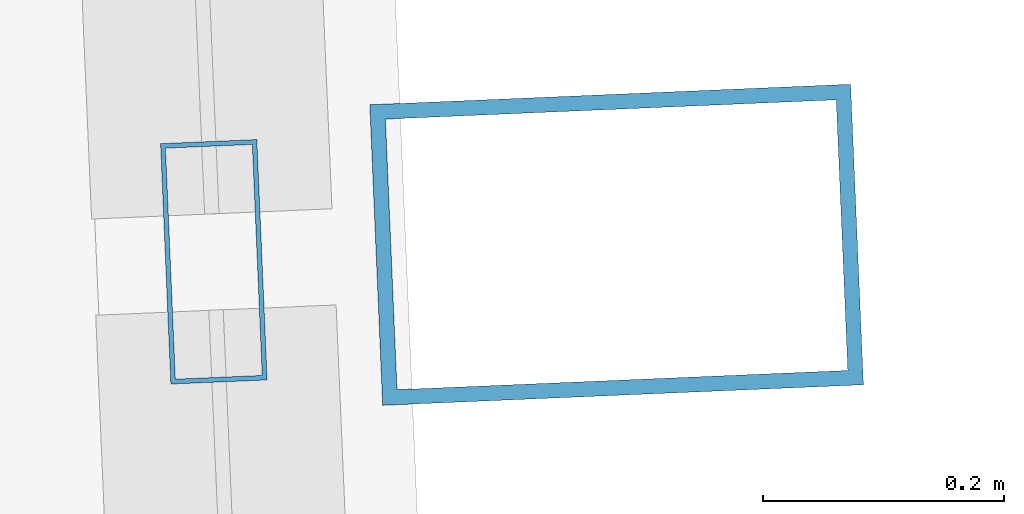
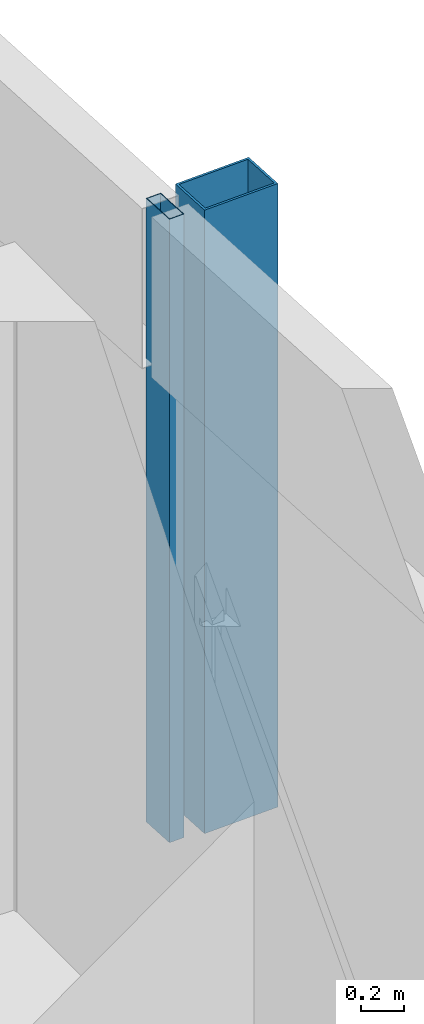
# One storey, part 27 of 42: 2 members, 1 element without a shape of its own.
"""IFC4 building model written with IfcOpenShell, lengths in metres."""

from ifc_helpers import new_model, si_unit, direction, frame, origin, origin_2d, place, context, subcontext, project, spatial, hollow_rectangle, extrude, material, material_profile, profile_set, type_object, element, aggregate, save


model = new_model("IFC4")

# Units and contexts
model_context = context("Model", 3, precision=1e-05, world=origin(), true_north=direction((0.0, 1.0)))
body_context = subcontext(model_context, "Body", "Model", "MODEL_VIEW")
ifc_project = project(units=[si_unit("LENGTHUNIT", "METRE"), si_unit("AREAUNIT", "SQUARE_METRE"), si_unit("VOLUMEUNIT", "CUBIC_METRE"), si_unit("PLANEANGLEUNIT", "RADIAN"), si_unit("MASSUNIT", "GRAM", prefix="KILO")], contexts=[model_context])

# Site, building, storey
site_placement = place(None, origin())
site = spatial("IfcSite", under=ifc_project, at=site_placement, CompositionType="ELEMENT")
building_placement = place(site_placement, origin())
building = spatial("IfcBuilding", under=site, at=building_placement, Name="Rekha Terrace Tower", CompositionType="ELEMENT")
storey_placement = place(building_placement, frame((0.0, 0.0, 55.39990234375)))
storey = spatial("IfcBuildingStorey", under=building, at=storey_placement, Name="L13", CompositionType="ELEMENT", Elevation=55.39990234375)

# Curtain wall, members
ifc_material_1 = material(Name="Aluminium framing", Category="aluminium")
curtain_wall_type = type_object("IfcCurtainWallType", Name="CW2 double skin outer glazing", PredefinedType="USERDEFINED", material=ifc_material_1)
curtain_wall_placement = place(storey_placement, origin())
curtain_wall = element("IfcCurtainWall", 1, at=curtain_wall_placement, inside=storey, type_object=curtain_wall_type, Name="CW2 double skin outer glazing", ObjectType="DOUBLE SKIN OUTER GLAZING", PredefinedType="USERDEFINED")
ifc_material_2 = material(Name="Steel S355 with fluorocarbon finish", Category="steel")
ifc_material_profile_1 = material_profile(ifc_material_2, hollow_rectangle(XDim=0.25, YDim=0.39990234375, WallThickness=0.012451171875, at=origin_2d()), Name="RHS400x250x12.5")
ifc_profile_set_1 = profile_set([ifc_material_profile_1], Name="Steel S355 with fluorocarbon finish")
member_type_1 = type_object("IfcMemberType", Name="BL1 facade blade RHS 400 x 250", PredefinedType="USERDEFINED", material=ifc_profile_set_1)
member_1_placement = place(storey_placement, frame((69.554443359375, 51.724609375, 0.0), z_axis=(0.0, 0.0, 1.0), x_axis=(-0.04269522475, 0.99908814315, 0.0)))
member_1 = element("IfcMember", 2, at=member_1_placement, type_object=member_type_1, Name="Facade blade", ObjectType="FACADE BLADE", PredefinedType="USERDEFINED", context=body_context, shape_type="SweptSolid", body=[
    extrude(hollow_rectangle(XDim=0.25, YDim=0.39990234375, WallThickness=0.012451171875, at=origin_2d()), origin(), (0.0, 0.0, 1.0), 3.5),
])
ifc_material_3 = material(Name="Aluminium mullion section", Category="aluminium")
ifc_material_profile_2 = material_profile(ifc_material_3, hollow_rectangle(XDim=0.080078125, YDim=0.199951171875, WallThickness=0.00390625, at=origin_2d()), Name="AL RHS 80x200")
ifc_profile_set_2 = profile_set([ifc_material_profile_2], Name="Aluminium mullion section")
member_type_2 = type_object("IfcMemberType", Name="CW2 mullion RHS 80 x 200", PredefinedType="MULLION", material=ifc_profile_set_2)
member_2_placement = place(storey_placement, frame((69.2197265625, 51.71044921875, 0.0), z_axis=(0.0, 0.0, 1.0), x_axis=(-0.999088106903, -0.042696072956, 0.0)))
member_2 = element("IfcMember", 3, at=member_2_placement, type_object=member_type_2, Name="CW2 mullion 4", PredefinedType="MULLION", context=body_context, shape_type="SweptSolid", body=[
    extrude(hollow_rectangle(XDim=0.080078125, YDim=0.199951171875, WallThickness=0.00390625, at=origin_2d()), origin(), (0.0, 0.0, 1.0), 3.5),
])
aggregate(curtain_wall, [member_2, member_1])

save(model, "model.ifc")
